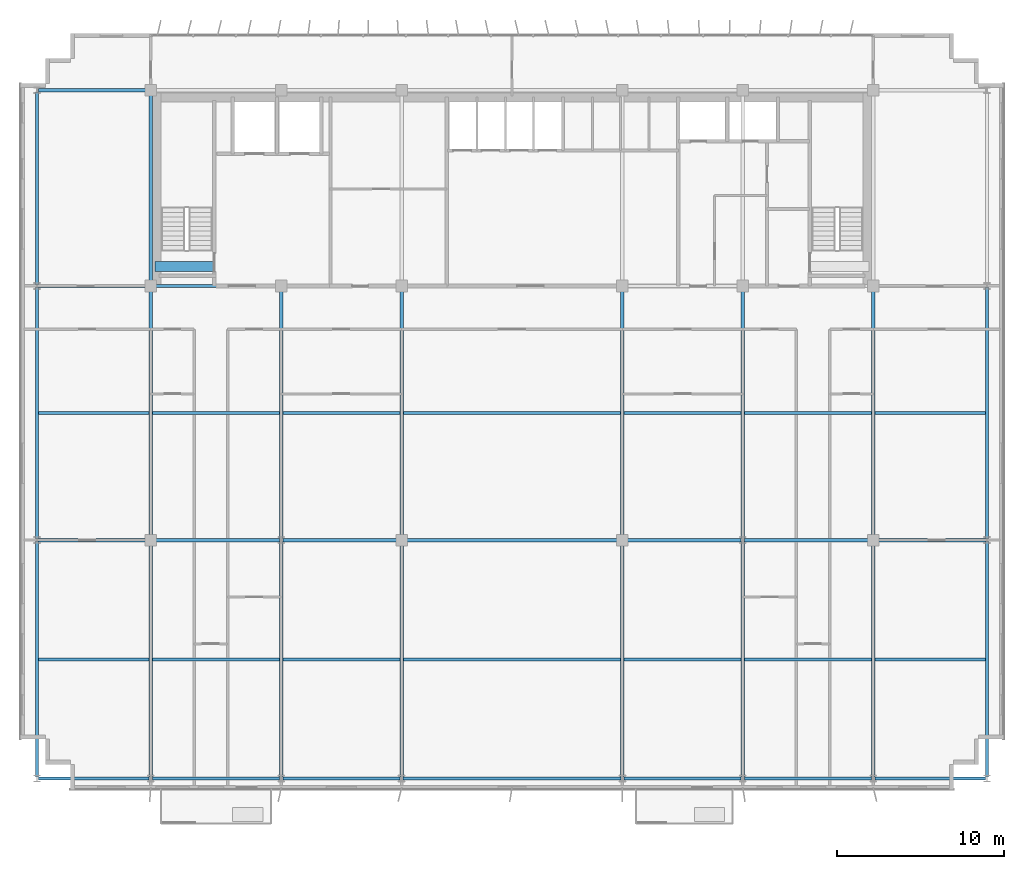
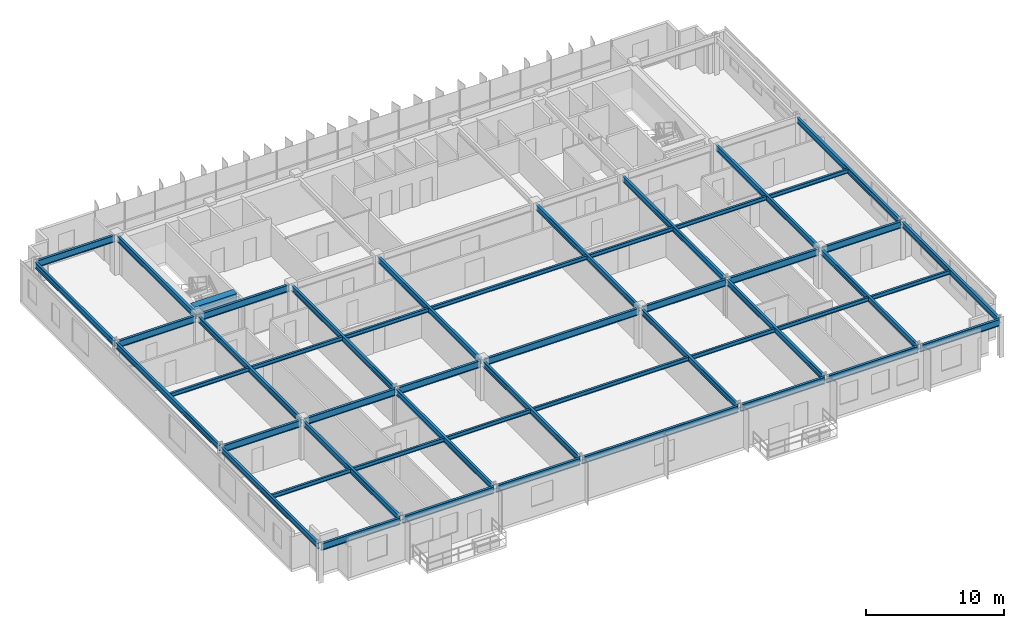
# One storey, part 3 of 20: 50 beams.
"""IFC4 building model written with IfcOpenShell, lengths in metres."""

from ifc_helpers import new_model, si_unit, direction, frame, origin, origin_2d, place, context, subcontext, project, spatial, rectangle, i_section, extrude, source, transform, mapped, material, material_profile, profile_set, type_object, element, save


model = new_model("IFC4")

# Units and contexts
model_context = context("Model", 3, precision=1e-05, world=origin(), true_north=direction((0.0, 1.0)))
body_context = subcontext(model_context, "Body", "Model", "MODEL_VIEW")
ifc_project = project(units=[si_unit("LENGTHUNIT", "METRE"), si_unit("AREAUNIT", "SQUARE_METRE"), si_unit("VOLUMEUNIT", "CUBIC_METRE"), si_unit("PLANEANGLEUNIT", "RADIAN"), si_unit("MASSUNIT", "GRAM", prefix="KILO")], contexts=[model_context])

# Site, building, storey
site_placement = place(None, origin())
site = spatial("IfcSite", under=ifc_project, at=site_placement, CompositionType="ELEMENT")
building_placement = place(site_placement, origin())
building = spatial("IfcBuilding", under=site, at=building_placement, Name="Trelvane Seafront Commons", CompositionType="ELEMENT")
storey_placement = place(building_placement, frame((0.0, 0.0, 150.10009765625)))
storey = spatial("IfcBuildingStorey", under=building, at=storey_placement, Name="L39", CompositionType="ELEMENT", Elevation=150.10009765625)

# Beams
ifc_material_1 = material(Name="Concrete C60/75", Category="concrete")
ifc_material_profile_1 = material_profile(ifc_material_1, rectangle(XDim=0.60009765625, YDim=0.89990234375, at=origin_2d()), Name="RC-600x900")
ifc_profile_set_1 = profile_set([ifc_material_profile_1], Name="Concrete C60/75")
beam_type_1 = type_object("IfcBeamType", Name="STR-LNT-RC600x900", PredefinedType="LINTEL", material=ifc_profile_set_1)
shared_shape_1 = source(origin(), body_context, "Body", "SweptSolid", [
    extrude(rectangle(XDim=0.60009765625, YDim=0.89990234375, at=origin_2d()), origin(), (0.0, 0.0, 1.0), 3.5498046875),
])
beam_1_placement = place(storey_placement, frame((15.85009765625, 34.550048828125, 2.89990234375), z_axis=(1.0, 0.0, 0.0), x_axis=(0.0, 1.0, 0.0)))
element("IfcBeam", 1, at=beam_1_placement, inside=storey, type_object=beam_type_1, Name="L39 Core Coupling Lintel Beam CB-67", PredefinedType="LINTEL", context=body_context, shape_type="MappedRepresentation", body=[
    mapped(shared_shape_1, transform((0.0, 0.0, 0.0), x_axis=(1.0, 0.0, 0.0), y_axis=(0.0, 1.0, 0.0), z_axis=(0.0, 0.0, 1.0), scale=1.0)),
])
ifc_material_2 = material(Name="Steel SM355 (S355)", Category="steel")
ifc_material_profile_2 = material_profile(ifc_material_2, i_section(OverallWidth=0.199951171875, OverallDepth=0.5, WebThickness=0.010009765625, FlangeThickness=0.01611328125, at=origin_2d()), Name="H-500x200x10x16")
ifc_profile_set_2 = profile_set([ifc_material_profile_2], Name="Steel SM355 (S355)")
beam_type_2 = type_object("IfcBeamType", Name="STR-BM-H500", PredefinedType="BEAM", material=ifc_profile_set_2)
shared_shape_2 = source(origin(), body_context, "Body", "SweptSolid", [
    extrude(i_section(OverallWidth=0.199951171875, OverallDepth=0.5, WebThickness=0.010009765625, FlangeThickness=0.01611328125, at=origin_2d()), origin(), (0.0, 0.0, 1.0), 14.89990234375),
])
for number, where, z_axis, x_axis, name in (
    (2, (15.60009765625, 18.35009765625, 3.099853515625), (0.0, 1.0, 0.0), (-1.0, 0.0, 0.0), "L39 Primary Girder G-33"),
    (3, (30.60009765625, 18.35009765625, 3.099853515625), (0.0, 1.0, 0.0), (-1.0, 0.0, 0.0), "L39 Primary Girder G-39"),
    (4, (43.800048828125, 18.35009765625, 3.099853515625), (0.0, 1.0, 0.0), (-1.0, 0.0, 0.0), "L39 Primary Girder G-42"),
    (5, (58.800048828125, 18.35009765625, 3.099853515625), (0.0, 1.0, 0.0), (-1.0, 0.0, 0.0), "L39 Primary Girder G-48"),
):
    element("IfcBeam", number, at=place(storey_placement, frame(where, z_axis=z_axis, x_axis=x_axis)), inside=storey, type_object=beam_type_2, Name=name, PredefinedType="BEAM", context=body_context, shape_type="MappedRepresentation", body=[
        mapped(shared_shape_2, transform((0.0, 0.0, 0.0), x_axis=(1.0, 0.0, 0.0), y_axis=(0.0, 1.0, 0.0), z_axis=(0.0, 0.0, 1.0), scale=1.0)),
    ])
shared_shape_3 = source(origin(), body_context, "Body", "SweptSolid", [
    extrude(i_section(OverallWidth=0.199951171875, OverallDepth=0.5, WebThickness=0.010009765625, FlangeThickness=0.01611328125, at=origin_2d()), origin(), (0.0, 0.0, 1.0), 11.39990234375),
])
beam_2_placement = place(storey_placement, frame((15.60009765625, 33.550048828125, 3.099853515625), z_axis=(0.0, 1.0, 0.0), x_axis=(-1.0, 0.0, 0.0)))
element("IfcBeam", 6, at=beam_2_placement, inside=storey, type_object=beam_type_2, Name="L39 Primary Girder G-34", PredefinedType="BEAM", context=body_context, shape_type="MappedRepresentation", body=[
    mapped(shared_shape_3, transform((0.0, 0.0, 0.0), x_axis=(1.0, 0.0, 0.0), y_axis=(0.0, 1.0, 0.0), z_axis=(0.0, 0.0, 1.0), scale=1.0)),
])
ifc_material_profile_3 = material_profile(ifc_material_2, i_section(OverallWidth=0.175048828125, OverallDepth=0.35009765625, WebThickness=0.007080078125, FlangeThickness=0.010986328125, at=origin_2d()), Name="H-350x175x7x11")
ifc_profile_set_3 = profile_set([ifc_material_profile_3], Name="Steel SM355 (S355)")
beam_type_3 = type_object("IfcBeamType", Name="STR-JST-H350", PredefinedType="JOIST", material=ifc_profile_set_3)
shared_shape_4 = source(origin(), body_context, "Body", "SweptSolid", [
    extrude(i_section(OverallWidth=0.175048828125, OverallDepth=0.35009765625, WebThickness=0.007080078125, FlangeThickness=0.010986328125, at=origin_2d()), origin(), (0.0, 0.0, 1.0), 6.60009765625),
])
for number, where, z_axis, x_axis, name in (
    (7, (8.89990234375, 11.074951171875, 3.1748046875), (1.0, 0.0, 0.0), (0.0, 1.0, 0.0), "L39 Secondary Floor Joist B-53"),
    (8, (58.89990234375, 11.074951171875, 3.1748046875), (1.0, 0.0, 0.0), (0.0, 1.0, 0.0), "L39 Secondary Floor Joist B-59"),
    (9, (8.89990234375, 25.800048828125, 3.1748046875), (1.0, 0.0, 0.0), (0.0, 1.0, 0.0), "L39 Secondary Floor Joist B-60"),
    (10, (58.89990234375, 25.800048828125, 3.1748046875), (1.0, 0.0, 0.0), (0.0, 1.0, 0.0), "L39 Secondary Floor Joist B-66"),
):
    element("IfcBeam", number, at=place(storey_placement, frame(where, z_axis=z_axis, x_axis=x_axis)), inside=storey, type_object=beam_type_3, Name=name, PredefinedType="JOIST", context=body_context, shape_type="MappedRepresentation", body=[
        mapped(shared_shape_4, transform((0.0, 0.0, 0.0), x_axis=(1.0, 0.0, 0.0), y_axis=(0.0, 1.0, 0.0), z_axis=(0.0, 0.0, 1.0), scale=1.0)),
    ])
shared_shape_5 = source(origin(), body_context, "Body", "SweptSolid", [
    extrude(i_section(OverallWidth=0.175048828125, OverallDepth=0.35009765625, WebThickness=0.007080078125, FlangeThickness=0.010986328125, at=origin_2d()), origin(), (0.0, 0.0, 1.0), 7.60009765625),
])
for number, where, z_axis, x_axis, name in (
    (11, (15.699951171875, 11.074951171875, 3.1748046875), (1.0, 0.0, 0.0), (0.0, 1.0, 0.0), "L39 Secondary Floor Joist B-54"),
    (12, (15.699951171875, 25.800048828125, 3.1748046875), (1.0, 0.0, 0.0), (0.0, 1.0, 0.0), "L39 Secondary Floor Joist B-61"),
):
    element("IfcBeam", number, at=place(storey_placement, frame(where, z_axis=z_axis, x_axis=x_axis)), inside=storey, type_object=beam_type_3, Name=name, PredefinedType="JOIST", context=body_context, shape_type="MappedRepresentation", body=[
        mapped(shared_shape_5, transform((0.0, 0.0, 0.0), x_axis=(1.0, 0.0, 0.0), y_axis=(0.0, 1.0, 0.0), z_axis=(0.0, 0.0, 1.0), scale=1.0)),
    ])
shared_shape_6 = source(origin(), body_context, "Body", "SweptSolid", [
    extrude(i_section(OverallWidth=0.175048828125, OverallDepth=0.35009765625, WebThickness=0.007080078125, FlangeThickness=0.010986328125, at=origin_2d()), origin(), (0.0, 0.0, 1.0), 7.0),
])
for number, where, z_axis, x_axis, name in (
    (13, (23.5, 11.074951171875, 3.1748046875), (1.0, 0.0, 0.0), (0.0, 1.0, 0.0), "L39 Secondary Floor Joist B-55"),
    (14, (43.89990234375, 11.074951171875, 3.1748046875), (1.0, 0.0, 0.0), (0.0, 1.0, 0.0), "L39 Secondary Floor Joist B-57"),
    (15, (23.5, 25.800048828125, 3.1748046875), (1.0, 0.0, 0.0), (0.0, 1.0, 0.0), "L39 Secondary Floor Joist B-62"),
    (16, (43.89990234375, 25.800048828125, 3.1748046875), (1.0, 0.0, 0.0), (0.0, 1.0, 0.0), "L39 Secondary Floor Joist B-64"),
):
    element("IfcBeam", number, at=place(storey_placement, frame(where, z_axis=z_axis, x_axis=x_axis)), inside=storey, type_object=beam_type_3, Name=name, PredefinedType="JOIST", context=body_context, shape_type="MappedRepresentation", body=[
        mapped(shared_shape_6, transform((0.0, 0.0, 0.0), x_axis=(1.0, 0.0, 0.0), y_axis=(0.0, 1.0, 0.0), z_axis=(0.0, 0.0, 1.0), scale=1.0)),
    ])
shared_shape_7 = source(origin(), body_context, "Body", "SweptSolid", [
    extrude(i_section(OverallWidth=0.175048828125, OverallDepth=0.35009765625, WebThickness=0.007080078125, FlangeThickness=0.010986328125, at=origin_2d()), origin(), (0.0, 0.0, 1.0), 13.0),
])
for number, where, z_axis, x_axis, name in (
    (17, (30.699951171875, 11.074951171875, 3.1748046875), (1.0, 0.0, 0.0), (0.0, 1.0, 0.0), "L39 Secondary Floor Joist B-56"),
    (18, (30.699951171875, 25.800048828125, 3.1748046875), (1.0, 0.0, 0.0), (0.0, 1.0, 0.0), "L39 Secondary Floor Joist B-63"),
):
    element("IfcBeam", number, at=place(storey_placement, frame(where, z_axis=z_axis, x_axis=x_axis)), inside=storey, type_object=beam_type_3, Name=name, PredefinedType="JOIST", context=body_context, shape_type="MappedRepresentation", body=[
        mapped(shared_shape_7, transform((0.0, 0.0, 0.0), x_axis=(1.0, 0.0, 0.0), y_axis=(0.0, 1.0, 0.0), z_axis=(0.0, 0.0, 1.0), scale=1.0)),
    ])
shared_shape_8 = source(origin(), body_context, "Body", "SweptSolid", [
    extrude(i_section(OverallWidth=0.175048828125, OverallDepth=0.35009765625, WebThickness=0.007080078125, FlangeThickness=0.010986328125, at=origin_2d()), origin(), (0.0, 0.0, 1.0), 7.599853515625),
])
for number, where, z_axis, x_axis, name in (
    (19, (51.10009765625, 11.074951171875, 3.1748046875), (1.0, 0.0, 0.0), (0.0, 1.0, 0.0), "L39 Secondary Floor Joist B-58"),
    (20, (51.10009765625, 25.800048828125, 3.1748046875), (1.0, 0.0, 0.0), (0.0, 1.0, 0.0), "L39 Secondary Floor Joist B-65"),
):
    element("IfcBeam", number, at=place(storey_placement, frame(where, z_axis=z_axis, x_axis=x_axis)), inside=storey, type_object=beam_type_3, Name=name, PredefinedType="JOIST", context=body_context, shape_type="MappedRepresentation", body=[
        mapped(shared_shape_8, transform((0.0, 0.0, 0.0), x_axis=(1.0, 0.0, 0.0), y_axis=(0.0, 1.0, 0.0), z_axis=(0.0, 0.0, 1.0), scale=1.0)),
    ])
ifc_material_profile_4 = material_profile(ifc_material_2, i_section(OverallWidth=0.199951171875, OverallDepth=0.60009765625, WebThickness=0.010986328125, FlangeThickness=0.01708984375, at=origin_2d()), Name="H-600x200x11x17")
ifc_profile_set_4 = profile_set([ifc_material_profile_4], Name="Steel SM355 (S355)")
beam_type_4 = type_object("IfcBeamType", Name="STR-SPD-H600", PredefinedType="SPANDREL", material=ifc_profile_set_4)
shared_shape_9 = source(origin(), body_context, "Body", "SweptSolid", [
    extrude(i_section(OverallWidth=0.199951171875, OverallDepth=0.60009765625, WebThickness=0.010986328125, FlangeThickness=0.01708984375, at=origin_2d()), origin(), (0.0, 0.0, 1.0), 6.60986328125),
])
for number, where, z_axis, x_axis, name in (
    (21, (8.89501953125, 3.949951171875, 3.0498046875), (1.0, 0.0, 0.0), (0.0, 1.0, 0.0), "L39 Primary Girder G-01"),
    (22, (58.89501953125, 3.949951171875, 3.0498046875), (1.0, 0.0, 0.0), (0.0, 1.0, 0.0), "L39 Primary Girder G-07"),
):
    element("IfcBeam", number, at=place(storey_placement, frame(where, z_axis=z_axis, x_axis=x_axis)), inside=storey, type_object=beam_type_4, Name=name, PredefinedType="SPANDREL", context=body_context, shape_type="MappedRepresentation", body=[
        mapped(shared_shape_9, transform((0.0, 0.0, 0.0), x_axis=(1.0, 0.0, 0.0), y_axis=(0.0, 1.0, 0.0), z_axis=(0.0, 0.0, 1.0), scale=1.0)),
    ])
shared_shape_10 = source(origin(), body_context, "Body", "SweptSolid", [
    extrude(i_section(OverallWidth=0.199951171875, OverallDepth=0.60009765625, WebThickness=0.010986328125, FlangeThickness=0.01708984375, at=origin_2d()), origin(), (0.0, 0.0, 1.0), 7.60986328125),
])
beam_3_placement = place(storey_placement, frame((15.695068359375, 3.949951171875, 3.0498046875), z_axis=(1.0, 0.0, 0.0), x_axis=(0.0, 1.0, 0.0)))
element("IfcBeam", 23, at=beam_3_placement, inside=storey, type_object=beam_type_4, Name="L39 Primary Girder G-02", PredefinedType="SPANDREL", context=body_context, shape_type="MappedRepresentation", body=[
    mapped(shared_shape_10, transform((0.0, 0.0, 0.0), x_axis=(1.0, 0.0, 0.0), y_axis=(0.0, 1.0, 0.0), z_axis=(0.0, 0.0, 1.0), scale=1.0)),
])
shared_shape_11 = source(origin(), body_context, "Body", "SweptSolid", [
    extrude(i_section(OverallWidth=0.199951171875, OverallDepth=0.60009765625, WebThickness=0.010986328125, FlangeThickness=0.01708984375, at=origin_2d()), origin(), (0.0, 0.0, 1.0), 7.009765625),
])
beam_4_placement = place(storey_placement, frame((23.4951171875, 3.949951171875, 3.0498046875), z_axis=(1.0, 0.0, 0.0), x_axis=(0.0, 1.0, 0.0)))
element("IfcBeam", 24, at=beam_4_placement, inside=storey, type_object=beam_type_4, Name="L39 Primary Girder G-03", PredefinedType="SPANDREL", context=body_context, shape_type="MappedRepresentation", body=[
    mapped(shared_shape_11, transform((0.0, 0.0, 0.0), x_axis=(1.0, 0.0, 0.0), y_axis=(0.0, 1.0, 0.0), z_axis=(0.0, 0.0, 1.0), scale=1.0)),
])
shared_shape_12 = source(origin(), body_context, "Body", "SweptSolid", [
    extrude(i_section(OverallWidth=0.199951171875, OverallDepth=0.60009765625, WebThickness=0.010986328125, FlangeThickness=0.01708984375, at=origin_2d()), origin(), (0.0, 0.0, 1.0), 13.010009765625),
])
beam_5_placement = place(storey_placement, frame((30.695068359375, 3.949951171875, 3.0498046875), z_axis=(1.0, 0.0, 0.0), x_axis=(0.0, 1.0, 0.0)))
element("IfcBeam", 25, at=beam_5_placement, inside=storey, type_object=beam_type_4, Name="L39 Primary Girder G-04", PredefinedType="SPANDREL", context=body_context, shape_type="MappedRepresentation", body=[
    mapped(shared_shape_12, transform((0.0, 0.0, 0.0), x_axis=(1.0, 0.0, 0.0), y_axis=(0.0, 1.0, 0.0), z_axis=(0.0, 0.0, 1.0), scale=1.0)),
])
shared_shape_13 = source(origin(), body_context, "Body", "SweptSolid", [
    extrude(i_section(OverallWidth=0.199951171875, OverallDepth=0.60009765625, WebThickness=0.010986328125, FlangeThickness=0.01708984375, at=origin_2d()), origin(), (0.0, 0.0, 1.0), 7.010009765625),
])
beam_6_placement = place(storey_placement, frame((43.89501953125, 3.949951171875, 3.0498046875), z_axis=(1.0, 0.0, 0.0), x_axis=(0.0, 1.0, 0.0)))
element("IfcBeam", 26, at=beam_6_placement, inside=storey, type_object=beam_type_4, Name="L39 Primary Girder G-05", PredefinedType="SPANDREL", context=body_context, shape_type="MappedRepresentation", body=[
    mapped(shared_shape_13, transform((0.0, 0.0, 0.0), x_axis=(1.0, 0.0, 0.0), y_axis=(0.0, 1.0, 0.0), z_axis=(0.0, 0.0, 1.0), scale=1.0)),
])
shared_shape_14 = source(origin(), body_context, "Body", "SweptSolid", [
    extrude(i_section(OverallWidth=0.199951171875, OverallDepth=0.60009765625, WebThickness=0.010986328125, FlangeThickness=0.01708984375, at=origin_2d()), origin(), (0.0, 0.0, 1.0), 7.610107421875),
])
beam_7_placement = place(storey_placement, frame((51.094970703125, 3.949951171875, 3.0498046875), z_axis=(1.0, 0.0, 0.0), x_axis=(0.0, 1.0, 0.0)))
element("IfcBeam", 27, at=beam_7_placement, inside=storey, type_object=beam_type_4, Name="L39 Primary Girder G-06", PredefinedType="SPANDREL", context=body_context, shape_type="MappedRepresentation", body=[
    mapped(shared_shape_14, transform((0.0, 0.0, 0.0), x_axis=(1.0, 0.0, 0.0), y_axis=(0.0, 1.0, 0.0), z_axis=(0.0, 0.0, 1.0), scale=1.0)),
])
shared_shape_15 = source(origin(), body_context, "Body", "SweptSolid", [
    extrude(i_section(OverallWidth=0.199951171875, OverallDepth=0.60009765625, WebThickness=0.010986328125, FlangeThickness=0.01708984375, at=origin_2d()), origin(), (0.0, 0.0, 1.0), 6.554931640625),
])
for number, where, z_axis, x_axis, name in (
    (28, (8.89501953125, 18.199951171875, 3.0498046875), (1.0, 0.0, 0.0), (0.0, 1.0, 0.0), "L39 Primary Girder G-08"),
    (29, (58.949951171875, 18.199951171875, 3.0498046875), (1.0, 0.0, 0.0), (0.0, 1.0, 0.0), "L39 Primary Girder G-14"),
    (30, (8.89501953125, 33.39990234375, 3.0498046875), (1.0, 0.0, 0.0), (0.0, 1.0, 0.0), "L39 Primary Girder G-15"),
    (31, (8.89501953125, 45.10009765625, 3.0498046875), (1.0, 0.0, 0.0), (0.0, 1.0, 0.0), "L39 Primary Girder G-22"),
):
    element("IfcBeam", number, at=place(storey_placement, frame(where, z_axis=z_axis, x_axis=x_axis)), inside=storey, type_object=beam_type_4, Name=name, PredefinedType="SPANDREL", context=body_context, shape_type="MappedRepresentation", body=[
        mapped(shared_shape_15, transform((0.0, 0.0, 0.0), x_axis=(1.0, 0.0, 0.0), y_axis=(0.0, 1.0, 0.0), z_axis=(0.0, 0.0, 1.0), scale=1.0)),
    ])
shared_shape_16 = source(origin(), body_context, "Body", "SweptSolid", [
    extrude(i_section(OverallWidth=0.199951171875, OverallDepth=0.60009765625, WebThickness=0.010986328125, FlangeThickness=0.01708984375, at=origin_2d()), origin(), (0.0, 0.0, 1.0), 7.554931640625),
])
for number, where, z_axis, x_axis, name in (
    (32, (15.75, 18.199951171875, 3.0498046875), (1.0, 0.0, 0.0), (0.0, 1.0, 0.0), "L39 Primary Girder G-09"),
    (33, (51.094970703125, 18.199951171875, 3.0498046875), (1.0, 0.0, 0.0), (0.0, 1.0, 0.0), "L39 Primary Girder G-13"),
):
    element("IfcBeam", number, at=place(storey_placement, frame(where, z_axis=z_axis, x_axis=x_axis)), inside=storey, type_object=beam_type_4, Name=name, PredefinedType="SPANDREL", context=body_context, shape_type="MappedRepresentation", body=[
        mapped(shared_shape_16, transform((0.0, 0.0, 0.0), x_axis=(1.0, 0.0, 0.0), y_axis=(0.0, 1.0, 0.0), z_axis=(0.0, 0.0, 1.0), scale=1.0)),
    ])
shared_shape_17 = source(origin(), body_context, "Body", "SweptSolid", [
    extrude(i_section(OverallWidth=0.199951171875, OverallDepth=0.60009765625, WebThickness=0.010986328125, FlangeThickness=0.01708984375, at=origin_2d()), origin(), (0.0, 0.0, 1.0), 6.954833984375),
])
beam_8_placement = place(storey_placement, frame((23.4951171875, 18.199951171875, 3.0498046875), z_axis=(1.0, 0.0, 0.0), x_axis=(0.0, 1.0, 0.0)))
element("IfcBeam", 34, at=beam_8_placement, inside=storey, type_object=beam_type_4, Name="L39 Primary Girder G-10", PredefinedType="SPANDREL", context=body_context, shape_type="MappedRepresentation", body=[
    mapped(shared_shape_17, transform((0.0, 0.0, 0.0), x_axis=(1.0, 0.0, 0.0), y_axis=(0.0, 1.0, 0.0), z_axis=(0.0, 0.0, 1.0), scale=1.0)),
])
shared_shape_18 = source(origin(), body_context, "Body", "SweptSolid", [
    extrude(i_section(OverallWidth=0.199951171875, OverallDepth=0.60009765625, WebThickness=0.010986328125, FlangeThickness=0.01708984375, at=origin_2d()), origin(), (0.0, 0.0, 1.0), 12.89990234375),
])
beam_9_placement = place(storey_placement, frame((30.75, 18.199951171875, 3.0498046875), z_axis=(1.0, 0.0, 0.0), x_axis=(0.0, 1.0, 0.0)))
element("IfcBeam", 35, at=beam_9_placement, inside=storey, type_object=beam_type_4, Name="L39 Primary Girder G-11", PredefinedType="SPANDREL", context=body_context, shape_type="MappedRepresentation", body=[
    mapped(shared_shape_18, transform((0.0, 0.0, 0.0), x_axis=(1.0, 0.0, 0.0), y_axis=(0.0, 1.0, 0.0), z_axis=(0.0, 0.0, 1.0), scale=1.0)),
])
shared_shape_19 = source(origin(), body_context, "Body", "SweptSolid", [
    extrude(i_section(OverallWidth=0.199951171875, OverallDepth=0.60009765625, WebThickness=0.010986328125, FlangeThickness=0.01708984375, at=origin_2d()), origin(), (0.0, 0.0, 1.0), 6.955078125),
])
beam_10_placement = place(storey_placement, frame((43.949951171875, 18.199951171875, 3.0498046875), z_axis=(1.0, 0.0, 0.0), x_axis=(0.0, 1.0, 0.0)))
element("IfcBeam", 36, at=beam_10_placement, inside=storey, type_object=beam_type_4, Name="L39 Primary Girder G-12", PredefinedType="SPANDREL", context=body_context, shape_type="MappedRepresentation", body=[
    mapped(shared_shape_19, transform((0.0, 0.0, 0.0), x_axis=(1.0, 0.0, 0.0), y_axis=(0.0, 1.0, 0.0), z_axis=(0.0, 0.0, 1.0), scale=1.0)),
])
shared_shape_20 = source(origin(), body_context, "Body", "SweptSolid", [
    extrude(i_section(OverallWidth=0.199951171875, OverallDepth=0.60009765625, WebThickness=0.010986328125, FlangeThickness=0.01708984375, at=origin_2d()), origin(), (0.0, 0.0, 1.0), 7.5),
])
beam_11_placement = place(storey_placement, frame((15.75, 33.39990234375, 3.0498046875), z_axis=(1.0, 0.0, 0.0), x_axis=(0.0, 1.0, 0.0)))
element("IfcBeam", 37, at=beam_11_placement, inside=storey, type_object=beam_type_4, Name="L39 Primary Girder G-16", PredefinedType="SPANDREL", context=body_context, shape_type="MappedRepresentation", body=[
    mapped(shared_shape_20, transform((0.0, 0.0, 0.0), x_axis=(1.0, 0.0, 0.0), y_axis=(0.0, 1.0, 0.0), z_axis=(0.0, 0.0, 1.0), scale=1.0)),
])
shared_shape_21 = source(origin(), body_context, "Body", "SweptSolid", [
    extrude(i_section(OverallWidth=0.199951171875, OverallDepth=0.5, WebThickness=0.010009765625, FlangeThickness=0.01611328125, at=origin_2d()), origin(), (0.0, 0.0, 1.0), 14.06005859375),
])
for number, where, z_axis, x_axis, name in (
    (38, (8.800048828125, 4.044921875, 3.099853515625), (0.0, 1.0, 0.0), (-1.0, 0.0, 0.0), "L39 Primary Girder G-29"),
    (39, (23.39990234375, 4.044921875, 3.099853515625), (0.0, 1.0, 0.0), (-1.0, 0.0, 0.0), "L39 Primary Girder G-35"),
    (40, (51.0, 4.044921875, 3.099853515625), (0.0, 1.0, 0.0), (-1.0, 0.0, 0.0), "L39 Primary Girder G-44"),
    (41, (65.60009765625, 4.044921875, 3.099853515625), (0.0, 1.0, 0.0), (-1.0, 0.0, 0.0), "L39 Primary Girder G-50"),
):
    element("IfcBeam", number, at=place(storey_placement, frame(where, z_axis=z_axis, x_axis=x_axis)), inside=storey, type_object=beam_type_2, Name=name, PredefinedType="BEAM", context=body_context, shape_type="MappedRepresentation", body=[
        mapped(shared_shape_21, transform((0.0, 0.0, 0.0), x_axis=(1.0, 0.0, 0.0), y_axis=(0.0, 1.0, 0.0), z_axis=(0.0, 0.0, 1.0), scale=1.0)),
    ])
shared_shape_22 = source(origin(), body_context, "Body", "SweptSolid", [
    extrude(i_section(OverallWidth=0.199951171875, OverallDepth=0.5, WebThickness=0.010009765625, FlangeThickness=0.01611328125, at=origin_2d()), origin(), (0.0, 0.0, 1.0), 15.010009765625),
])
for number, where, z_axis, x_axis, name in (
    (42, (8.800048828125, 18.294921875, 3.099853515625), (0.0, 1.0, 0.0), (-1.0, 0.0, 0.0), "L39 Primary Girder G-30"),
    (43, (65.60009765625, 18.294921875, 3.099853515625), (0.0, 1.0, 0.0), (-1.0, 0.0, 0.0), "L39 Primary Girder G-51"),
):
    element("IfcBeam", number, at=place(storey_placement, frame(where, z_axis=z_axis, x_axis=x_axis)), inside=storey, type_object=beam_type_2, Name=name, PredefinedType="BEAM", context=body_context, shape_type="MappedRepresentation", body=[
        mapped(shared_shape_22, transform((0.0, 0.0, 0.0), x_axis=(1.0, 0.0, 0.0), y_axis=(0.0, 1.0, 0.0), z_axis=(0.0, 0.0, 1.0), scale=1.0)),
    ])
shared_shape_23 = source(origin(), body_context, "Body", "SweptSolid", [
    extrude(i_section(OverallWidth=0.199951171875, OverallDepth=0.5, WebThickness=0.010009765625, FlangeThickness=0.01611328125, at=origin_2d()), origin(), (0.0, 0.0, 1.0), 11.509765625),
])
beam_12_placement = place(storey_placement, frame((8.800048828125, 33.4951171875, 3.099853515625), z_axis=(0.0, 1.0, 0.0), x_axis=(-1.0, 0.0, 0.0)))
element("IfcBeam", 44, at=beam_12_placement, inside=storey, type_object=beam_type_2, Name="L39 Primary Girder G-31", PredefinedType="BEAM", context=body_context, shape_type="MappedRepresentation", body=[
    mapped(shared_shape_23, transform((0.0, 0.0, 0.0), x_axis=(1.0, 0.0, 0.0), y_axis=(0.0, 1.0, 0.0), z_axis=(0.0, 0.0, 1.0), scale=1.0)),
])
shared_shape_24 = source(origin(), body_context, "Body", "SweptSolid", [
    extrude(i_section(OverallWidth=0.199951171875, OverallDepth=0.5, WebThickness=0.010009765625, FlangeThickness=0.01611328125, at=origin_2d()), origin(), (0.0, 0.0, 1.0), 14.005126953125),
])
for number, where, z_axis, x_axis, name in (
    (45, (15.60009765625, 4.044921875, 3.099853515625), (0.0, 1.0, 0.0), (-1.0, 0.0, 0.0), "L39 Primary Girder G-32"),
    (46, (30.60009765625, 4.044921875, 3.099853515625), (0.0, 1.0, 0.0), (-1.0, 0.0, 0.0), "L39 Primary Girder G-38"),
    (47, (43.800048828125, 4.044921875, 3.099853515625), (0.0, 1.0, 0.0), (-1.0, 0.0, 0.0), "L39 Primary Girder G-41"),
    (48, (58.800048828125, 4.044921875, 3.099853515625), (0.0, 1.0, 0.0), (-1.0, 0.0, 0.0), "L39 Primary Girder G-47"),
):
    element("IfcBeam", number, at=place(storey_placement, frame(where, z_axis=z_axis, x_axis=x_axis)), inside=storey, type_object=beam_type_2, Name=name, PredefinedType="BEAM", context=body_context, shape_type="MappedRepresentation", body=[
        mapped(shared_shape_24, transform((0.0, 0.0, 0.0), x_axis=(1.0, 0.0, 0.0), y_axis=(0.0, 1.0, 0.0), z_axis=(0.0, 0.0, 1.0), scale=1.0)),
    ])
shared_shape_25 = source(origin(), body_context, "Body", "SweptSolid", [
    extrude(i_section(OverallWidth=0.199951171875, OverallDepth=0.5, WebThickness=0.010009765625, FlangeThickness=0.01611328125, at=origin_2d()), origin(), (0.0, 0.0, 1.0), 14.955078125),
])
for number, where, z_axis, x_axis, name in (
    (49, (23.39990234375, 18.294921875, 3.099853515625), (0.0, 1.0, 0.0), (-1.0, 0.0, 0.0), "L39 Primary Girder G-36"),
    (50, (51.0, 18.294921875, 3.099853515625), (0.0, 1.0, 0.0), (-1.0, 0.0, 0.0), "L39 Primary Girder G-45"),
):
    element("IfcBeam", number, at=place(storey_placement, frame(where, z_axis=z_axis, x_axis=x_axis)), inside=storey, type_object=beam_type_2, Name=name, PredefinedType="BEAM", context=body_context, shape_type="MappedRepresentation", body=[
        mapped(shared_shape_25, transform((0.0, 0.0, 0.0), x_axis=(1.0, 0.0, 0.0), y_axis=(0.0, 1.0, 0.0), z_axis=(0.0, 0.0, 1.0), scale=1.0)),
    ])

save(model, "model.ifc")
